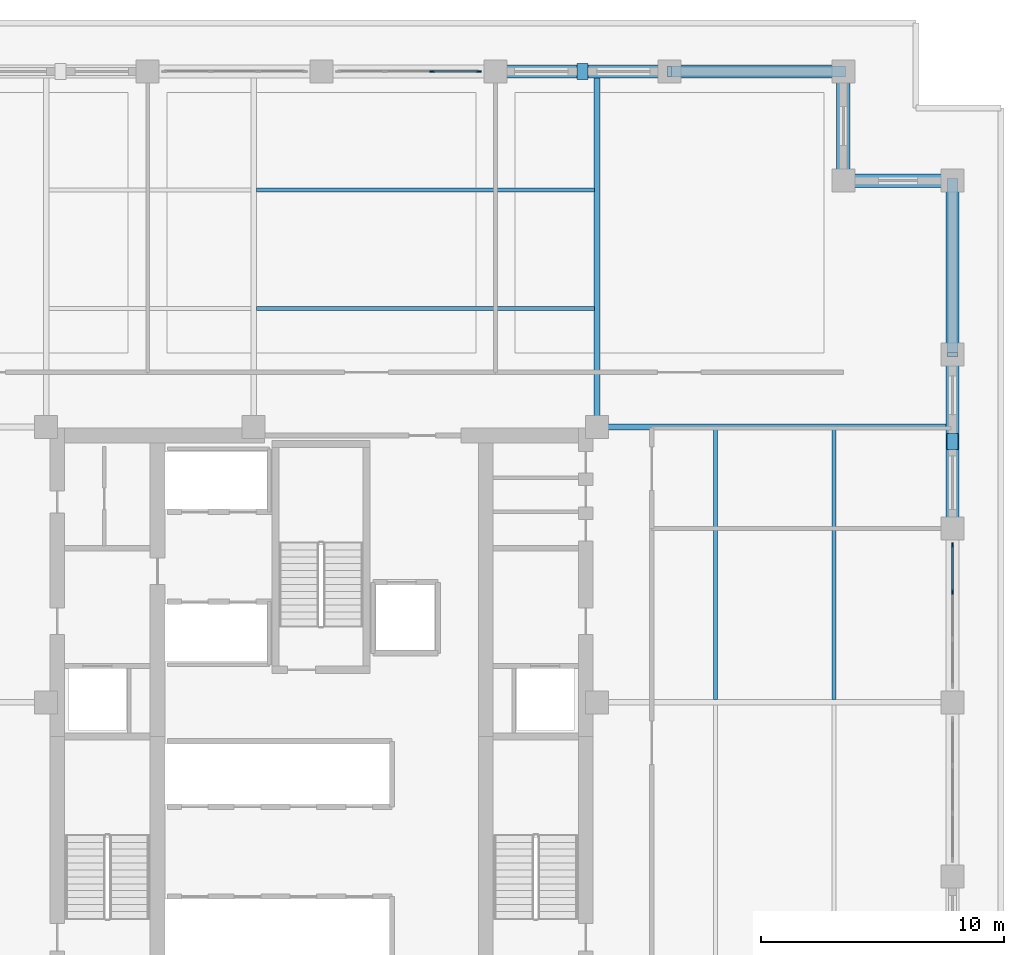
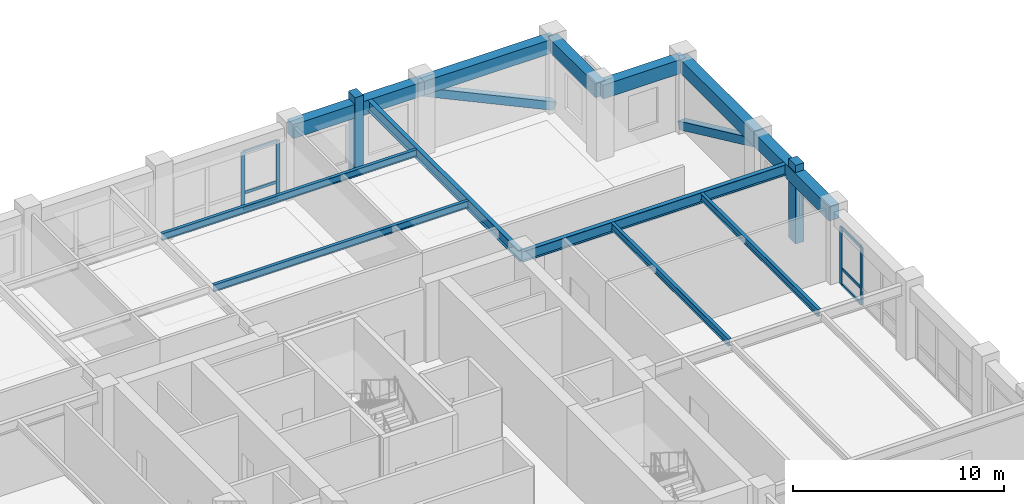
# One storey, part 6 of 16: 14 members, 12 beams, 2 elements without a shape of their own.
"""IFC4 building model written with IfcOpenShell, lengths in metres."""

from ifc_helpers import new_model, si_unit, direction, frame, origin, origin_2d, place, context, subcontext, project, spatial, rectangle, hollow_rectangle, i_section, extrude, material, layer, layer_set, material_profile, profile_set, type_object, element, aggregate, save


model = new_model("IFC4")

# Units and contexts
model_context = context("Model", 3, precision=1e-05, world=origin(), true_north=direction((0.0, 1.0)))
body_context = subcontext(model_context, "Body", "Model", "MODEL_VIEW")
ifc_project = project(units=[si_unit("LENGTHUNIT", "METRE"), si_unit("AREAUNIT", "SQUARE_METRE"), si_unit("VOLUMEUNIT", "CUBIC_METRE"), si_unit("PLANEANGLEUNIT", "RADIAN"), si_unit("MASSUNIT", "GRAM", prefix="KILO")], contexts=[model_context])

# Site, building, storey
site_placement = place(None, origin())
site = spatial("IfcSite", under=ifc_project, at=site_placement, CompositionType="ELEMENT")
building_placement = place(site_placement, origin())
building = spatial("IfcBuilding", under=site, at=building_placement, Name="Nhamokura Convention Tower", CompositionType="ELEMENT")
storey_placement = place(building_placement, frame((0.0, 0.0, 106.050048828125)))
storey = spatial("IfcBuildingStorey", under=building, at=storey_placement, Name="L25", CompositionType="ELEMENT", Elevation=106.050048828125)

# Members
ifc_material_1 = material(Name="Bronze-pigmented precast concrete C45/55", Category="concrete")
ifc_material_profile_1 = material_profile(ifc_material_1, rectangle(XDim=0.449951171875, YDim=0.64990234375, at=origin_2d()))
ifc_profile_set_1 = profile_set([ifc_material_profile_1], Name="Bronze-pigmented precast concrete C45/55")
member_type_1 = type_object("IfcMemberType", Name="BronzePilaster_650", PredefinedType="USERDEFINED", material=ifc_profile_set_1)
for number, where, z_axis, x_axis, name in (
    (1, (42.75, 58.0, 0.0), (0.0, 0.0, 1.0), (1.0, 0.0, 0.0), "L25 Engaged Frame Pilaster NORTH 4"),
    (2, (58.0, 42.75, 0.0), (0.0, 0.0, 1.0), (1.0, 0.0, 0.0), "L25 Engaged Frame Pilaster EAST 4"),
):
    element("IfcMember", number, at=place(storey_placement, frame(where, z_axis=z_axis, x_axis=x_axis)), inside=storey, type_object=member_type_1, Name=name, ObjectType="PILASTER_TRIM", PredefinedType="USERDEFINED", context=body_context, shape_type="SweptSolid", body=[
        extrude(rectangle(XDim=0.449951171875, YDim=0.64990234375, at=origin_2d()), origin(), (0.0, 0.0, 1.0), 4.550048828125),
    ])

# Curtain wall, members
ifc_material_2 = material(Name="Anodised bronze aluminium AA6063-T6", Category="aluminium")
ifc_layer = layer(ifc_material_2, 0.18994140625)
ifc_layer_set = layer_set([ifc_layer], Name="CWSystem_SkyLobby")
curtain_wall_type = type_object("IfcCurtainWallType", Name="CWSystem_SkyLobby", PredefinedType="NOTDEFINED", material=ifc_layer_set)
curtain_wall_1_placement = place(storey_placement, origin())
curtain_wall_1 = element("IfcCurtainWall", 3, at=curtain_wall_1_placement, inside=storey, type_object=curtain_wall_type, Name="L25 Curtain Wall ENV-L25-CW-N3", PredefinedType="NOTDEFINED")
ifc_material_3 = material(Name="Anodised bronze aluminium AA6063-T6", Category="aluminium")
ifc_material_profile_2 = material_profile(ifc_material_3, rectangle(XDim=0.074951171875, YDim=0.199951171875, at=origin_2d()))
ifc_profile_set_2 = profile_set([ifc_material_profile_2], Name="Anodised bronze aluminium AA6063-T6")
member_type_2 = type_object("IfcMemberType", Name="CWMullion_2", PredefinedType="MULLION", material=ifc_profile_set_2)
member_1_placement = place(storey_placement, frame((36.56103515625, 58.0, 0.0), z_axis=(0.0, 0.0, 1.0), x_axis=(0.0, 1.0, 0.0)))
member_1 = element("IfcMember", 4, at=member_1_placement, type_object=member_type_2, Name="CW-06 mullion 3", PredefinedType="MULLION", context=body_context, shape_type="SweptSolid", body=[
    extrude(rectangle(XDim=0.074951171875, YDim=0.199951171875, at=origin_2d()), origin(), (0.0, 0.0, 1.0), 3.329833984375),
])
member_2_placement = place(storey_placement, frame((38.479248046875, 58.0, 0.0), z_axis=(0.0, 0.0, 1.0), x_axis=(0.0, 1.0, 0.0)))
member_2 = element("IfcMember", 5, at=member_2_placement, type_object=member_type_2, Name="CW-06 mullion 4", PredefinedType="MULLION", context=body_context, shape_type="SweptSolid", body=[
    extrude(rectangle(XDim=0.074951171875, YDim=0.199951171875, at=origin_2d()), origin(), (0.0, 0.0, 1.0), 3.329833984375),
])

curtain_wall_2_placement = place(storey_placement, origin())
curtain_wall_2 = element("IfcCurtainWall", 6, at=curtain_wall_2_placement, inside=storey, type_object=curtain_wall_type, Name="L25 Curtain Wall ENV-L25-CW-E3", PredefinedType="NOTDEFINED")
member_3_placement = place(storey_placement, frame((58.0, 38.479248046875, 0.0), z_axis=(0.0, 0.0, 1.0), x_axis=(1.0, 0.0, 0.0)))
member_3 = element("IfcMember", 7, at=member_3_placement, type_object=member_type_2, Name="CW-06 mullion 1", PredefinedType="MULLION", context=body_context, shape_type="SweptSolid", body=[
    extrude(rectangle(XDim=0.074951171875, YDim=0.199951171875, at=origin_2d()), origin(), (0.0, 0.0, 1.0), 3.329833984375),
])
member_4_placement = place(storey_placement, frame((58.0, 36.56103515625, 0.0), z_axis=(0.0, 0.0, 1.0), x_axis=(1.0, 0.0, 0.0)))
member_4 = element("IfcMember", 8, at=member_4_placement, type_object=member_type_2, Name="CW-06 mullion 2", PredefinedType="MULLION", context=body_context, shape_type="SweptSolid", body=[
    extrude(rectangle(XDim=0.074951171875, YDim=0.199951171875, at=origin_2d()), origin(), (0.0, 0.0, 1.0), 3.329833984375),
])

# Member
ifc_material_4 = material(Name="Anodised bronze aluminium AA6063-T6", Category="aluminium")
ifc_material_profile_3 = material_profile(ifc_material_4, rectangle(XDim=0.074951171875, YDim=0.169921875, at=origin_2d()))
ifc_profile_set_3 = profile_set([ifc_material_profile_3], Name="Anodised bronze aluminium AA6063-T6")
member_type_3 = type_object("IfcMemberType", Name="CWTransom_2", PredefinedType="USERDEFINED", material=ifc_profile_set_3)
member_5_placement = place(storey_placement, frame((36.5986328125, 58.0, 0.037353515625), z_axis=(1.0, 0.0, 0.0), x_axis=(0.0, 1.0, 0.0)))
member_5 = element("IfcMember", 9, at=member_5_placement, type_object=member_type_3, Name="CW-06 transom 3.1", ObjectType="TRANSOM", PredefinedType="USERDEFINED", context=body_context, shape_type="SweptSolid", body=[
    extrude(rectangle(XDim=0.074951171875, YDim=0.169921875, at=origin_2d()), origin(), (0.0, 0.0, 1.0), 1.843017578125),
])

member_6_placement = place(storey_placement, frame((36.5986328125, 58.0, 0.949951171875), z_axis=(1.0, 0.0, 0.0), x_axis=(0.0, 1.0, 0.0)))
member_6 = element("IfcMember", 10, at=member_6_placement, type_object=member_type_3, Name="CW-06 transom 3.2", ObjectType="TRANSOM", PredefinedType="USERDEFINED", context=body_context, shape_type="SweptSolid", body=[
    extrude(rectangle(XDim=0.074951171875, YDim=0.169921875, at=origin_2d()), origin(), (0.0, 0.0, 1.0), 1.843017578125),
])

member_7_placement = place(storey_placement, frame((36.5986328125, 58.0, 3.29248046875), z_axis=(1.0, 0.0, 0.0), x_axis=(0.0, 1.0, 0.0)))
member_7 = element("IfcMember", 11, at=member_7_placement, type_object=member_type_3, Name="CW-06 transom 3.3", ObjectType="TRANSOM", PredefinedType="USERDEFINED", context=body_context, shape_type="SweptSolid", body=[
    extrude(rectangle(XDim=0.074951171875, YDim=0.169921875, at=origin_2d()), origin(), (0.0, 0.0, 1.0), 1.843017578125),
])

aggregate(curtain_wall_1, [member_1, member_2, member_5, member_6, member_7])

member_8_placement = place(storey_placement, frame((58.0, 38.441650390625, 0.037353515625), z_axis=(0.0, -1.0, 0.0), x_axis=(1.0, 0.0, 0.0)))
member_8 = element("IfcMember", 12, at=member_8_placement, type_object=member_type_3, Name="CW-06 transom 1.1", ObjectType="TRANSOM", PredefinedType="USERDEFINED", context=body_context, shape_type="SweptSolid", body=[
    extrude(rectangle(XDim=0.074951171875, YDim=0.169921875, at=origin_2d()), origin(), (0.0, 0.0, 1.0), 1.843017578125),
])

member_9_placement = place(storey_placement, frame((58.0, 38.441650390625, 0.949951171875), z_axis=(0.0, -1.0, 0.0), x_axis=(1.0, 0.0, 0.0)))
member_9 = element("IfcMember", 13, at=member_9_placement, type_object=member_type_3, Name="CW-06 transom 1.2", ObjectType="TRANSOM", PredefinedType="USERDEFINED", context=body_context, shape_type="SweptSolid", body=[
    extrude(rectangle(XDim=0.074951171875, YDim=0.169921875, at=origin_2d()), origin(), (0.0, 0.0, 1.0), 1.843017578125),
])

member_10_placement = place(storey_placement, frame((58.0, 38.441650390625, 3.29248046875), z_axis=(0.0, -1.0, 0.0), x_axis=(1.0, 0.0, 0.0)))
member_10 = element("IfcMember", 14, at=member_10_placement, type_object=member_type_3, Name="CW-06 transom 1.3", ObjectType="TRANSOM", PredefinedType="USERDEFINED", context=body_context, shape_type="SweptSolid", body=[
    extrude(rectangle(XDim=0.074951171875, YDim=0.169921875, at=origin_2d()), origin(), (0.0, 0.0, 1.0), 1.843017578125),
])

aggregate(curtain_wall_2, [member_3, member_4, member_8, member_9, member_10])

# Beams
ifc_material_5 = material(Name="Steel ASTM A992 Gr 50", Category="steel")
ifc_material_profile_4 = material_profile(ifc_material_5, i_section(OverallWidth=0.177001953125, OverallDepth=0.403076171875, WebThickness=0.007568359375, FlangeThickness=0.010986328125, at=origin_2d()))
ifc_profile_set_4 = profile_set([ifc_material_profile_4], Name="Steel ASTM A992 Gr 50")
beam_type_1 = type_object("IfcBeamType", Name="FloorJoist_W410X53", PredefinedType="JOIST", material=ifc_profile_set_4)
for number, where, z_axis, x_axis, name in (
    (15, (29.31298828125, 48.2333984375, 3.928466796875), (1.0, 0.0, 0.0), (0.0, 1.0, 0.0), "L25 Composite Floor Joist N1B"),
    (16, (29.31298828125, 53.11669921875, 3.928466796875), (1.0, 0.0, 0.0), (0.0, 1.0, 0.0), "L25 Composite Floor Joist N2B"),
):
    element("IfcBeam", number, at=place(storey_placement, frame(where, z_axis=z_axis, x_axis=x_axis)), inside=storey, type_object=beam_type_1, Name=name, PredefinedType="JOIST", context=body_context, shape_type="SweptSolid", body=[
        extrude(i_section(OverallWidth=0.177001953125, OverallDepth=0.403076171875, WebThickness=0.007568359375, FlangeThickness=0.010986328125, at=origin_2d()), origin(), (0.0, 0.0, 1.0), 13.924072265625),
    ])
for number, where, z_axis, x_axis, name in (
    (17, (48.2333984375, 32.113037109375, 3.928466796875), (0.0, 1.0, 0.0), (-1.0, 0.0, 0.0), "L25 Composite Floor Joist E1B"),
    (18, (53.11669921875, 32.113037109375, 3.928466796875), (0.0, 1.0, 0.0), (-1.0, 0.0, 0.0), "L25 Composite Floor Joist E2B"),
):
    element("IfcBeam", number, at=place(storey_placement, frame(where, z_axis=z_axis, x_axis=x_axis)), inside=storey, type_object=beam_type_1, Name=name, PredefinedType="JOIST", context=body_context, shape_type="SweptSolid", body=[
        extrude(i_section(OverallWidth=0.177001953125, OverallDepth=0.403076171875, WebThickness=0.007568359375, FlangeThickness=0.010986328125, at=origin_2d()), origin(), (0.0, 0.0, 1.0), 11.1240234375),
    ])
ifc_material_6 = material(Name="Steel ASTM A992 Gr 50", Category="steel")
ifc_material_profile_5 = material_profile(ifc_material_6, i_section(OverallWidth=0.22998046875, OverallDepth=0.616943359375, WebThickness=0.01318359375, FlangeThickness=0.022216796875, at=origin_2d()))
ifc_profile_set_5 = profile_set([ifc_material_profile_5], Name="Steel ASTM A992 Gr 50")
beam_type_2 = type_object("IfcBeamType", Name="PrimaryGirder_W610X140", PredefinedType="BEAM", material=ifc_profile_set_5)
for number, where, z_axis, x_axis, name in (
    (19, (43.35009765625, 43.35009765625, 3.821533203125), (0.0, 1.0, 0.0), (-1.0, 0.0, 0.0), "L25 Primary Floor Girder PG-N3"),
    (20, (43.35009765625, 43.35009765625, 3.821533203125), (1.0, 0.0, 0.0), (0.0, 1.0, 0.0), "L25 Primary Floor Girder PG-E3"),
):
    element("IfcBeam", number, at=place(storey_placement, frame(where, z_axis=z_axis, x_axis=x_axis)), inside=storey, type_object=beam_type_2, Name=name, PredefinedType="BEAM", context=body_context, shape_type="SweptSolid", body=[
        extrude(i_section(OverallWidth=0.22998046875, OverallDepth=0.616943359375, WebThickness=0.01318359375, FlangeThickness=0.022216796875, at=origin_2d()), origin(), (0.0, 0.0, 1.0), 14.64990234375),
    ])

# Members
ifc_material_7 = material(Name="Steel ASTM A572 Gr 50", Category="steel")
ifc_material_profile_6 = material_profile(ifc_material_7, hollow_rectangle(XDim=0.449951171875, YDim=0.449951171875, WallThickness=0.02197265625, at=origin_2d()))
ifc_profile_set_6 = profile_set([ifc_material_profile_6], Name="Steel ASTM A572 Gr 50")
member_type_4 = type_object("IfcMemberType", Name="TubeBrace_HSS450", PredefinedType="BRACE", material=ifc_profile_set_6)
for number, where, z_axis, x_axis, name in (
    (21, (53.5, 58.0, 0.14990234375), (-0.906880391441, 0.0, 0.421388129424), (0.0, -1.0, 0.0), "L25 Perimeter Tube Brace NORTH Bay 5"),
    (22, (58.0, 53.5, 0.14990234375), (0.0, -0.906880391441, 0.421388129424), (1.0, 0.0, 0.0), "L25 Perimeter Tube Brace EAST Bay 5"),
):
    element("IfcMember", number, at=place(storey_placement, frame(where, z_axis=z_axis, x_axis=x_axis)), inside=storey, type_object=member_type_4, Name=name, PredefinedType="BRACE", context=body_context, shape_type="SweptSolid", body=[
        extrude(hollow_rectangle(XDim=0.449951171875, YDim=0.449951171875, WallThickness=0.02197265625, at=origin_2d()), origin(), (0.0, 0.0, 1.0), 7.902587890625),
    ])

# Beams
ifc_material_8 = material(Name="Concrete C50/60", Category="concrete")
ifc_material_profile_7 = material_profile(ifc_material_8, rectangle(XDim=0.550048828125, YDim=0.800048828125, at=origin_2d()))
ifc_profile_set_7 = profile_set([ifc_material_profile_7], Name="Concrete C50/60")
beam_type_3 = type_object("IfcBeamType", Name="TubeSpandrel_800", PredefinedType="SPANDREL", material=ifc_profile_set_7)
beam_1_placement = place(storey_placement, frame((39.166748046875, 58.0, 3.72998046875), z_axis=(1.0, 0.0, 0.0), x_axis=(0.0, 1.0, 0.0)))
element("IfcBeam", 23, at=beam_1_placement, inside=storey, type_object=beam_type_3, Name="L25 Perimeter Spandrel NORTH 5", PredefinedType="SPANDREL", context=body_context, shape_type="SweptSolid", body=[
    extrude(rectangle(XDim=0.550048828125, YDim=0.800048828125, at=origin_2d()), origin(), (0.0, 0.0, 1.0), 7.16650390625),
])
beam_2_placement = place(storey_placement, frame((46.333251953125, 58.0, 3.72998046875), z_axis=(1.0, 0.0, 0.0), x_axis=(0.0, 1.0, 0.0)))
element("IfcBeam", 24, at=beam_2_placement, inside=storey, type_object=beam_type_3, Name="L25 Perimeter Spandrel NORTH 6", PredefinedType="SPANDREL", context=body_context, shape_type="SweptSolid", body=[
    extrude(rectangle(XDim=0.550048828125, YDim=0.800048828125, at=origin_2d()), origin(), (0.0, 0.0, 1.0), 7.166748046875),
])
beam_3_placement = place(storey_placement, frame((58.0, 39.166748046875, 3.72998046875), z_axis=(0.0, 1.0, 0.0), x_axis=(-1.0, 0.0, 0.0)))
element("IfcBeam", 25, at=beam_3_placement, inside=storey, type_object=beam_type_3, Name="L25 Perimeter Spandrel EAST 5", PredefinedType="SPANDREL", context=body_context, shape_type="SweptSolid", body=[
    extrude(rectangle(XDim=0.550048828125, YDim=0.800048828125, at=origin_2d()), origin(), (0.0, 0.0, 1.0), 7.16650390625),
])
beam_4_placement = place(storey_placement, frame((58.0, 46.333251953125, 3.72998046875), z_axis=(0.0, 1.0, 0.0), x_axis=(-1.0, 0.0, 0.0)))
element("IfcBeam", 26, at=beam_4_placement, inside=storey, type_object=beam_type_3, Name="L25 Perimeter Spandrel EAST 6", PredefinedType="SPANDREL", context=body_context, shape_type="SweptSolid", body=[
    extrude(rectangle(XDim=0.550048828125, YDim=0.800048828125, at=origin_2d()), origin(), (0.0, 0.0, 1.0), 7.166748046875),
])
for number, where, z_axis, x_axis, name in (
    (27, (58.0, 53.5, 3.72998046875), (-1.0, 0.0, 0.0), (0.0, -1.0, 0.0), "L25 Notch Spandrel NE1"),
    (28, (53.5, 53.5, 3.72998046875), (0.0, 1.0, 0.0), (-1.0, 0.0, 0.0), "L25 Notch Spandrel NE2"),
):
    element("IfcBeam", number, at=place(storey_placement, frame(where, z_axis=z_axis, x_axis=x_axis)), inside=storey, type_object=beam_type_3, Name=name, PredefinedType="SPANDREL", context=body_context, shape_type="SweptSolid", body=[
        extrude(rectangle(XDim=0.550048828125, YDim=0.800048828125, at=origin_2d()), origin(), (0.0, 0.0, 1.0), 4.5),
    ])

save(model, "model.ifc")
